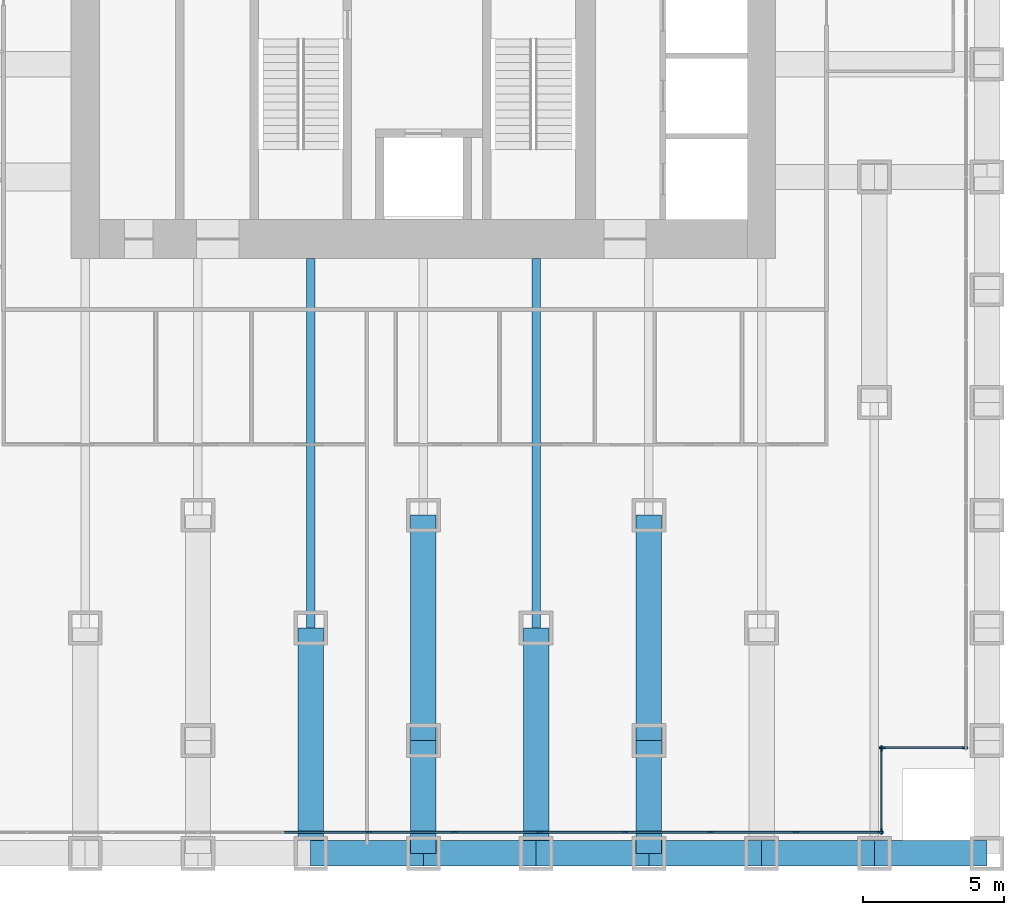
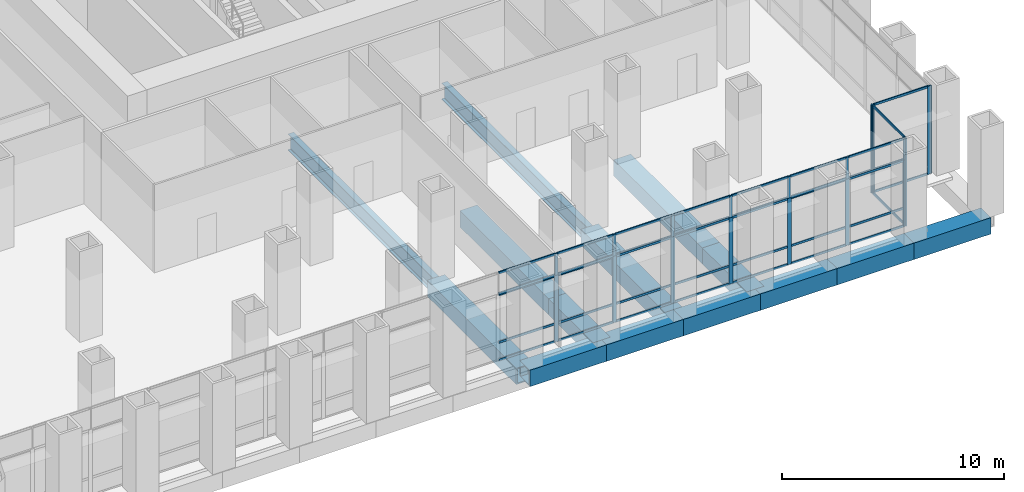
# One storey, part 5 of 18: 57 members, 14 beams, 4 elements without a shape of their own.
"""IFC4 building model written with IfcOpenShell, lengths in metres."""

from ifc_helpers import new_model, si_unit, direction, frame, origin, origin_2d, place, context, subcontext, project, spatial, rectangle, hollow_rectangle, i_section, extrude, material, material_profile, profile_set, type_object, element, aggregate, save


model = new_model("IFC4")

# Units and contexts
model_context = context("Model", 3, precision=1e-05, world=origin(), true_north=direction((0.0, 1.0)))
body_context = subcontext(model_context, "Body", "Model", "MODEL_VIEW")
ifc_project = project(units=[si_unit("LENGTHUNIT", "METRE"), si_unit("AREAUNIT", "SQUARE_METRE"), si_unit("VOLUMEUNIT", "CUBIC_METRE"), si_unit("PLANEANGLEUNIT", "RADIAN"), si_unit("MASSUNIT", "GRAM", prefix="KILO")], contexts=[model_context])

# Site, building, storey
site_placement = place(None, origin())
site = spatial("IfcSite", under=ifc_project, at=site_placement, CompositionType="ELEMENT")
building_placement = place(site_placement, origin())
building = spatial("IfcBuilding", under=site, at=building_placement, Name="Rimbunsela Tower", CompositionType="ELEMENT")
storey_placement = place(building_placement, frame((0.0, 0.0, 6.0)))
storey = spatial("IfcBuildingStorey", under=building, at=storey_placement, Name="L01", CompositionType="ELEMENT", Elevation=6.0)

# Beams
ifc_material_1 = material(Name="Steel BJ 55 (fy 410 MPa)", Category="steel")
ifc_material_profile_1 = material_profile(ifc_material_1, hollow_rectangle(XDim=0.89990234375, YDim=0.89990234375, WallThickness=0.06005859375, at=origin_2d()), Name="BOX 900x900x60")
ifc_profile_set_1 = profile_set([ifc_material_profile_1], Name="Steel BJ 55 (fy 410 MPa)")
beam_type_1 = type_object("IfcBeamType", Name="Beam BOX 900x900x60", PredefinedType="BEAM", material=ifc_profile_set_1)
beam_1_placement = place(storey_placement, frame((26.0, -4.0, -0.60009765625), z_axis=(0.0, 1.0, 0.0), x_axis=(-1.0, 0.0, 0.0)))
element("IfcBeam", 1, at=beam_1_placement, inside=storey, type_object=beam_type_1, Name="Beam B1 L01", PredefinedType="BEAM", context=body_context, shape_type="SweptSolid", body=[
    extrude(hollow_rectangle(XDim=0.89990234375, YDim=0.89990234375, WallThickness=0.06005859375, at=origin_2d()), origin(), (0.0, 0.0, 1.0), 8.0),
])
for number, where, z_axis, x_axis, name in (
    (2, (26.0, -4.0, -0.60009765625), (1.0, 0.0, 0.0), (0.0, 1.0, 0.0), "Beam B1 L01"),
    (3, (30.0, -4.0, -0.60009765625), (0.0, 1.0, 0.0), (-1.0, 0.0, 0.0), "Beam B1 L01"),
    (4, (30.0, -4.0, -0.60009765625), (1.0, 0.0, 0.0), (0.0, 1.0, 0.0), "Beam B1 L01"),
):
    element("IfcBeam", number, at=place(storey_placement, frame(where, z_axis=z_axis, x_axis=x_axis)), inside=storey, type_object=beam_type_1, Name=name, PredefinedType="BEAM", context=body_context, shape_type="SweptSolid", body=[
        extrude(hollow_rectangle(XDim=0.89990234375, YDim=0.89990234375, WallThickness=0.06005859375, at=origin_2d()), origin(), (0.0, 0.0, 1.0), 4.0),
    ])
for number, where, z_axis, x_axis, name in (
    (5, (30.0, 0.0, -0.60009765625), (0.0, 1.0, 0.0), (-1.0, 0.0, 0.0), "Beam B1 L01"),
    (6, (34.0, -4.0, -0.60009765625), (0.0, 1.0, 0.0), (-1.0, 0.0, 0.0), "Beam B1 L01"),
):
    element("IfcBeam", number, at=place(storey_placement, frame(where, z_axis=z_axis, x_axis=x_axis)), inside=storey, type_object=beam_type_1, Name=name, PredefinedType="BEAM", context=body_context, shape_type="SweptSolid", body=[
        extrude(hollow_rectangle(XDim=0.89990234375, YDim=0.89990234375, WallThickness=0.06005859375, at=origin_2d()), origin(), (0.0, 0.0, 1.0), 8.0),
    ])
for number, where, z_axis, x_axis, name in (
    (7, (34.0, -4.0, -0.60009765625), (1.0, 0.0, 0.0), (0.0, 1.0, 0.0), "Beam B1 L01"),
    (8, (38.0, -4.0, -0.60009765625), (0.0, 1.0, 0.0), (-1.0, 0.0, 0.0), "Beam B1 L01"),
    (9, (38.0, -4.0, -0.60009765625), (1.0, 0.0, 0.0), (0.0, 1.0, 0.0), "Beam B1 L01"),
):
    element("IfcBeam", number, at=place(storey_placement, frame(where, z_axis=z_axis, x_axis=x_axis)), inside=storey, type_object=beam_type_1, Name=name, PredefinedType="BEAM", context=body_context, shape_type="SweptSolid", body=[
        extrude(hollow_rectangle(XDim=0.89990234375, YDim=0.89990234375, WallThickness=0.06005859375, at=origin_2d()), origin(), (0.0, 0.0, 1.0), 4.0),
    ])
beam_2_placement = place(storey_placement, frame((38.0, 0.0, -0.60009765625), z_axis=(0.0, 1.0, 0.0), x_axis=(-1.0, 0.0, 0.0)))
element("IfcBeam", 10, at=beam_2_placement, inside=storey, type_object=beam_type_1, Name="Beam B1 L01", PredefinedType="BEAM", context=body_context, shape_type="SweptSolid", body=[
    extrude(hollow_rectangle(XDim=0.89990234375, YDim=0.89990234375, WallThickness=0.06005859375, at=origin_2d()), origin(), (0.0, 0.0, 1.0), 8.0),
])
for number, where, z_axis, x_axis, name in (
    (11, (42.0, -4.0, -0.60009765625), (1.0, 0.0, 0.0), (0.0, 1.0, 0.0), "Beam B1 L01"),
    (12, (46.0, -4.0, -0.60009765625), (1.0, 0.0, 0.0), (0.0, 1.0, 0.0), "Beam B1 L01"),
):
    element("IfcBeam", number, at=place(storey_placement, frame(where, z_axis=z_axis, x_axis=x_axis)), inside=storey, type_object=beam_type_1, Name=name, PredefinedType="BEAM", context=body_context, shape_type="SweptSolid", body=[
        extrude(hollow_rectangle(XDim=0.89990234375, YDim=0.89990234375, WallThickness=0.06005859375, at=origin_2d()), origin(), (0.0, 0.0, 1.0), 4.0),
    ])
ifc_material_2 = material(Name="Steel BJ 55 (fy 410 MPa)", Category="steel")
ifc_material_profile_2 = material_profile(ifc_material_2, i_section(OverallWidth=0.300048828125, OverallDepth=0.89990234375, WebThickness=0.01611328125, FlangeThickness=0.028076171875, FilletRadius=0.028076171875, at=origin_2d()), Name="H 900x300x16x28")
ifc_profile_set_2 = profile_set([ifc_material_profile_2], Name="Steel BJ 55 (fy 410 MPa)")
beam_type_2 = type_object("IfcBeamType", Name="Beam H 900x300x16x28", PredefinedType="BEAM", material=ifc_profile_set_2)
for number, where, z_axis, x_axis, name in (
    (13, (26.0, 4.0, -0.60009765625), (0.0, 1.0, 0.0), (-1.0, 0.0, 0.0), "Beam B2 L01"),
    (14, (34.0, 4.0, -0.60009765625), (0.0, 1.0, 0.0), (-1.0, 0.0, 0.0), "Beam B2 L01"),
):
    element("IfcBeam", number, at=place(storey_placement, frame(where, z_axis=z_axis, x_axis=x_axis)), inside=storey, type_object=beam_type_2, Name=name, PredefinedType="BEAM", context=body_context, shape_type="SweptSolid", body=[
        extrude(i_section(OverallWidth=0.300048828125, OverallDepth=0.89990234375, WebThickness=0.01611328125, FlangeThickness=0.028076171875, FilletRadius=0.028076171875, at=origin_2d()), origin(), (0.0, 0.0, 1.0), 13.10009765625),
    ])

# Curtain wall, members
ifc_material_3 = material(Name="Aluminium curtain wall", Category="aluminium")
curtain_wall_type_1 = type_object("IfcCurtainWallType", Name="Spandrel wall", PredefinedType="USERDEFINED", material=ifc_material_3)
curtain_wall_1_placement = place(storey_placement, origin())
curtain_wall_1 = element("IfcCurtainWall", 15, at=curtain_wall_1_placement, inside=storey, type_object=curtain_wall_type_1, Name="Spandrel wall L01", ObjectType="SPANDREL WALL", PredefinedType="USERDEFINED")
ifc_material_4 = material(Name="Aluminium mullion", Category="aluminium")
ifc_material_profile_3 = material_profile(ifc_material_4, rectangle(XDim=0.06005859375, YDim=0.159912109375, at=origin_2d()), Name="Mullion 60x160")
ifc_profile_set_3 = profile_set([ifc_material_profile_3], Name="Aluminium mullion")
member_type_1 = type_object("IfcMemberType", Name="Curtain wall mullion 60x160", PredefinedType="MULLION", material=ifc_profile_set_3)
member_1_placement = place(storey_placement, frame((28.0625, -3.25, 3.64990234375), z_axis=(0.0, 0.0, 1.0), x_axis=(0.0, 1.0, 0.0)))
member_1 = element("IfcMember", 16, at=member_1_placement, type_object=member_type_1, Name="CW7 mullion 11", PredefinedType="MULLION", context=body_context, shape_type="SweptSolid", body=[
    extrude(rectangle(XDim=0.06005859375, YDim=0.159912109375, at=origin_2d()), origin(), (0.0, 0.0, 1.0), 1.2001953125),
])
member_2_placement = place(storey_placement, frame((31.09375, -3.25, 3.64990234375), z_axis=(0.0, 0.0, 1.0), x_axis=(0.0, 1.0, 0.0)))
member_2 = element("IfcMember", 17, at=member_2_placement, type_object=member_type_1, Name="CW7 mullion 12", PredefinedType="MULLION", context=body_context, shape_type="SweptSolid", body=[
    extrude(rectangle(XDim=0.06005859375, YDim=0.159912109375, at=origin_2d()), origin(), (0.0, 0.0, 1.0), 1.2001953125),
])
member_3_placement = place(storey_placement, frame((34.125, -3.25, 3.64990234375), z_axis=(0.0, 0.0, 1.0), x_axis=(0.0, 1.0, 0.0)))
member_3 = element("IfcMember", 18, at=member_3_placement, type_object=member_type_1, Name="CW7 mullion 13", PredefinedType="MULLION", context=body_context, shape_type="SweptSolid", body=[
    extrude(rectangle(XDim=0.06005859375, YDim=0.159912109375, at=origin_2d()), origin(), (0.0, 0.0, 1.0), 1.2001953125),
])
member_4_placement = place(storey_placement, frame((37.15625, -3.25, 3.64990234375), z_axis=(0.0, 0.0, 1.0), x_axis=(0.0, 1.0, 0.0)))
member_4 = element("IfcMember", 19, at=member_4_placement, type_object=member_type_1, Name="CW7 mullion 14", PredefinedType="MULLION", context=body_context, shape_type="SweptSolid", body=[
    extrude(rectangle(XDim=0.06005859375, YDim=0.159912109375, at=origin_2d()), origin(), (0.0, 0.0, 1.0), 1.2001953125),
])
member_5_placement = place(storey_placement, frame((40.1875, -3.25, 3.64990234375), z_axis=(0.0, 0.0, 1.0), x_axis=(0.0, 1.0, 0.0)))
member_5 = element("IfcMember", 20, at=member_5_placement, type_object=member_type_1, Name="CW7 mullion 15", PredefinedType="MULLION", context=body_context, shape_type="SweptSolid", body=[
    extrude(rectangle(XDim=0.06005859375, YDim=0.159912109375, at=origin_2d()), origin(), (0.0, 0.0, 1.0), 1.2001953125),
])
member_6_placement = place(storey_placement, frame((43.21875, -3.25, 3.64990234375), z_axis=(0.0, 0.0, 1.0), x_axis=(0.0, 1.0, 0.0)))
member_6 = element("IfcMember", 21, at=member_6_placement, type_object=member_type_1, Name="CW7 mullion 16", PredefinedType="MULLION", context=body_context, shape_type="SweptSolid", body=[
    extrude(rectangle(XDim=0.06005859375, YDim=0.159912109375, at=origin_2d()), origin(), (0.0, 0.0, 1.0), 1.2001953125),
])
member_7_placement = place(storey_placement, frame((46.219970703125, -3.25, 3.64990234375), z_axis=(0.0, 0.0, 1.0), x_axis=(0.0, 1.0, 0.0)))
member_7 = element("IfcMember", 22, at=member_7_placement, type_object=member_type_1, Name="CW7 mullion 17", PredefinedType="MULLION", context=body_context, shape_type="SweptSolid", body=[
    extrude(rectangle(XDim=0.06005859375, YDim=0.159912109375, at=origin_2d()), origin(), (0.0, 0.0, 1.0), 1.2001953125),
])

ifc_material_5 = material(Name="Aluminium curtain wall", Category="aluminium")
curtain_wall_type_2 = type_object("IfcCurtainWallType", Name="Corner glazing", PredefinedType="USERDEFINED", material=ifc_material_5)
curtain_wall_2_placement = place(storey_placement, origin())
curtain_wall_2 = element("IfcCurtainWall", 23, at=curtain_wall_2_placement, inside=storey, type_object=curtain_wall_type_2, Name="Corner glazing L01", ObjectType="CORNER GLAZING", PredefinedType="USERDEFINED")
ifc_material_6 = material(Name="Aluminium mullion", Category="aluminium")
ifc_material_profile_4 = material_profile(ifc_material_6, rectangle(XDim=0.06005859375, YDim=0.199951171875, at=origin_2d()), Name="Mullion 60x200")
ifc_profile_set_4 = profile_set([ifc_material_profile_4], Name="Aluminium mullion")
member_type_2 = type_object("IfcMemberType", Name="Curtain wall mullion 60x200", PredefinedType="MULLION", material=ifc_profile_set_4)
member_8_placement = place(storey_placement, frame((46.25, -3.219970703125, 0.0), z_axis=(0.0, 0.0, 1.0), x_axis=(-1.0, 0.0, 0.0)))
member_8 = element("IfcMember", 24, at=member_8_placement, type_object=member_type_2, Name="CW5 mullion 1", PredefinedType="MULLION", context=body_context, shape_type="SweptSolid", body=[
    extrude(rectangle(XDim=0.06005859375, YDim=0.199951171875, at=origin_2d()), origin(), (0.0, 0.0, 1.0), 4.85009765625),
])
member_9_placement = place(storey_placement, frame((46.25, -0.280029296875, 0.0), z_axis=(0.0, 0.0, 1.0), x_axis=(-1.0, 0.0, 0.0)))
member_9 = element("IfcMember", 25, at=member_9_placement, type_object=member_type_2, Name="CW5 mullion 2", PredefinedType="MULLION", context=body_context, shape_type="SweptSolid", body=[
    extrude(rectangle(XDim=0.06005859375, YDim=0.199951171875, at=origin_2d()), origin(), (0.0, 0.0, 1.0), 4.85009765625),
])

curtain_wall_3_placement = place(storey_placement, origin())
curtain_wall_3 = element("IfcCurtainWall", 26, at=curtain_wall_3_placement, inside=storey, type_object=curtain_wall_type_2, Name="Corner glazing L01", ObjectType="CORNER GLAZING", PredefinedType="USERDEFINED")
member_10_placement = place(storey_placement, frame((46.280029296875, -0.25, 0.0), z_axis=(0.0, 0.0, 1.0), x_axis=(0.0, 1.0, 0.0)))
member_10 = element("IfcMember", 27, at=member_10_placement, type_object=member_type_2, Name="CW5 mullion 1", PredefinedType="MULLION", context=body_context, shape_type="SweptSolid", body=[
    extrude(rectangle(XDim=0.06005859375, YDim=0.199951171875, at=origin_2d()), origin(), (0.0, 0.0, 1.0), 4.85009765625),
])
member_11_placement = place(storey_placement, frame((49.219970703125, -0.25, 0.0), z_axis=(0.0, 0.0, 1.0), x_axis=(0.0, 1.0, 0.0)))
member_11 = element("IfcMember", 28, at=member_11_placement, type_object=member_type_2, Name="CW5 mullion 2", PredefinedType="MULLION", context=body_context, shape_type="SweptSolid", body=[
    extrude(rectangle(XDim=0.06005859375, YDim=0.199951171875, at=origin_2d()), origin(), (0.0, 0.0, 1.0), 4.85009765625),
])

ifc_material_7 = material(Name="Aluminium curtain wall", Category="aluminium")
curtain_wall_type_3 = type_object("IfcCurtainWallType", Name="Podium glazing", PredefinedType="USERDEFINED", material=ifc_material_7)
curtain_wall_4_placement = place(storey_placement, origin())
curtain_wall_4 = element("IfcCurtainWall", 29, at=curtain_wall_4_placement, inside=storey, type_object=curtain_wall_type_3, Name="Podium glazing L01", ObjectType="PODIUM GLAZING", PredefinedType="USERDEFINED")
member_12_placement = place(storey_placement, frame((28.0625, -3.25, 0.0), z_axis=(0.0, 0.0, 1.0), x_axis=(0.0, 1.0, 0.0)))
member_12 = element("IfcMember", 30, at=member_12_placement, type_object=member_type_2, Name="CW1 mullion 11", PredefinedType="MULLION", context=body_context, shape_type="SweptSolid", body=[
    extrude(rectangle(XDim=0.06005859375, YDim=0.199951171875, at=origin_2d()), origin(), (0.0, 0.0, 1.0), 3.64990234375),
])
member_13_placement = place(storey_placement, frame((31.09375, -3.25, 0.0), z_axis=(0.0, 0.0, 1.0), x_axis=(0.0, 1.0, 0.0)))
member_13 = element("IfcMember", 31, at=member_13_placement, type_object=member_type_2, Name="CW1 mullion 12", PredefinedType="MULLION", context=body_context, shape_type="SweptSolid", body=[
    extrude(rectangle(XDim=0.06005859375, YDim=0.199951171875, at=origin_2d()), origin(), (0.0, 0.0, 1.0), 3.64990234375),
])
member_14_placement = place(storey_placement, frame((34.125, -3.25, 0.0), z_axis=(0.0, 0.0, 1.0), x_axis=(0.0, 1.0, 0.0)))
member_14 = element("IfcMember", 32, at=member_14_placement, type_object=member_type_2, Name="CW1 mullion 13", PredefinedType="MULLION", context=body_context, shape_type="SweptSolid", body=[
    extrude(rectangle(XDim=0.06005859375, YDim=0.199951171875, at=origin_2d()), origin(), (0.0, 0.0, 1.0), 3.64990234375),
])
member_15_placement = place(storey_placement, frame((37.15625, -3.25, 0.0), z_axis=(0.0, 0.0, 1.0), x_axis=(0.0, 1.0, 0.0)))
member_15 = element("IfcMember", 33, at=member_15_placement, type_object=member_type_2, Name="CW1 mullion 14", PredefinedType="MULLION", context=body_context, shape_type="SweptSolid", body=[
    extrude(rectangle(XDim=0.06005859375, YDim=0.199951171875, at=origin_2d()), origin(), (0.0, 0.0, 1.0), 3.64990234375),
])
member_16_placement = place(storey_placement, frame((40.1875, -3.25, 0.0), z_axis=(0.0, 0.0, 1.0), x_axis=(0.0, 1.0, 0.0)))
member_16 = element("IfcMember", 34, at=member_16_placement, type_object=member_type_2, Name="CW1 mullion 15", PredefinedType="MULLION", context=body_context, shape_type="SweptSolid", body=[
    extrude(rectangle(XDim=0.06005859375, YDim=0.199951171875, at=origin_2d()), origin(), (0.0, 0.0, 1.0), 3.64990234375),
])
member_17_placement = place(storey_placement, frame((43.21875, -3.25, 0.0), z_axis=(0.0, 0.0, 1.0), x_axis=(0.0, 1.0, 0.0)))
member_17 = element("IfcMember", 35, at=member_17_placement, type_object=member_type_2, Name="CW1 mullion 16", PredefinedType="MULLION", context=body_context, shape_type="SweptSolid", body=[
    extrude(rectangle(XDim=0.06005859375, YDim=0.199951171875, at=origin_2d()), origin(), (0.0, 0.0, 1.0), 3.64990234375),
])
member_18_placement = place(storey_placement, frame((46.219970703125, -3.25, 0.0), z_axis=(0.0, 0.0, 1.0), x_axis=(0.0, 1.0, 0.0)))
member_18 = element("IfcMember", 36, at=member_18_placement, type_object=member_type_2, Name="CW1 mullion 17", PredefinedType="MULLION", context=body_context, shape_type="SweptSolid", body=[
    extrude(rectangle(XDim=0.06005859375, YDim=0.199951171875, at=origin_2d()), origin(), (0.0, 0.0, 1.0), 3.64990234375),
])

# Member
ifc_material_8 = material(Name="Aluminium transom", Category="aluminium")
ifc_material_profile_5 = material_profile(ifc_material_8, rectangle(XDim=0.06005859375, YDim=0.1201171875, at=origin_2d()), Name="Transom 60x120")
ifc_profile_set_5 = profile_set([ifc_material_profile_5], Name="Aluminium transom")
member_type_3 = type_object("IfcMemberType", Name="Curtain wall transom 60x120", PredefinedType="USERDEFINED", material=ifc_profile_set_5)
member_19_placement = place(storey_placement, frame((46.25, -3.18994140625, 0.030029296875), z_axis=(0.0, 1.0, 0.0), x_axis=(-1.0, 0.0, 0.0)))
member_19 = element("IfcMember", 37, at=member_19_placement, type_object=member_type_3, Name="CW5 transom 1.1", ObjectType="TRANSOM", PredefinedType="USERDEFINED", context=body_context, shape_type="SweptSolid", body=[
    extrude(rectangle(XDim=0.06005859375, YDim=0.1201171875, at=origin_2d()), origin(), (0.0, 0.0, 1.0), 2.8798828125),
])

member_20_placement = place(storey_placement, frame((46.25, -3.18994140625, 4.820068359375), z_axis=(0.0, 1.0, 0.0), x_axis=(-1.0, 0.0, 0.0)))
member_20 = element("IfcMember", 38, at=member_20_placement, type_object=member_type_3, Name="CW5 transom 1.2", ObjectType="TRANSOM", PredefinedType="USERDEFINED", context=body_context, shape_type="SweptSolid", body=[
    extrude(rectangle(XDim=0.06005859375, YDim=0.1201171875, at=origin_2d()), origin(), (0.0, 0.0, 1.0), 2.8798828125),
])

aggregate(curtain_wall_2, [member_8, member_9, member_19, member_20])

member_21_placement = place(storey_placement, frame((46.31005859375, -0.25, 0.030029296875), z_axis=(1.0, 0.0, 0.0), x_axis=(0.0, 1.0, 0.0)))
member_21 = element("IfcMember", 39, at=member_21_placement, type_object=member_type_3, Name="CW5 transom 1.1", ObjectType="TRANSOM", PredefinedType="USERDEFINED", context=body_context, shape_type="SweptSolid", body=[
    extrude(rectangle(XDim=0.06005859375, YDim=0.1201171875, at=origin_2d()), origin(), (0.0, 0.0, 1.0), 2.8798828125),
])

member_22_placement = place(storey_placement, frame((46.31005859375, -0.25, 4.820068359375), z_axis=(1.0, 0.0, 0.0), x_axis=(0.0, 1.0, 0.0)))
member_22 = element("IfcMember", 40, at=member_22_placement, type_object=member_type_3, Name="CW5 transom 1.2", ObjectType="TRANSOM", PredefinedType="USERDEFINED", context=body_context, shape_type="SweptSolid", body=[
    extrude(rectangle(XDim=0.06005859375, YDim=0.1201171875, at=origin_2d()), origin(), (0.0, 0.0, 1.0), 2.8798828125),
])

aggregate(curtain_wall_3, [member_10, member_11, member_21, member_22])

member_23_placement = place(storey_placement, frame((25.061279296875, -3.25, 0.030029296875), z_axis=(1.0, 0.0, 0.0), x_axis=(0.0, 1.0, 0.0)))
member_23 = element("IfcMember", 41, at=member_23_placement, type_object=member_type_3, Name="CW1 transom 10.1", ObjectType="TRANSOM", PredefinedType="USERDEFINED", context=body_context, shape_type="SweptSolid", body=[
    extrude(rectangle(XDim=0.06005859375, YDim=0.1201171875, at=origin_2d()), origin(), (0.0, 0.0, 1.0), 2.97119140625),
])

member_24_placement = place(storey_placement, frame((25.061279296875, -3.25, 1.0), z_axis=(1.0, 0.0, 0.0), x_axis=(0.0, 1.0, 0.0)))
member_24 = element("IfcMember", 42, at=member_24_placement, type_object=member_type_3, Name="CW1 transom 10.2", ObjectType="TRANSOM", PredefinedType="USERDEFINED", context=body_context, shape_type="SweptSolid", body=[
    extrude(rectangle(XDim=0.06005859375, YDim=0.1201171875, at=origin_2d()), origin(), (0.0, 0.0, 1.0), 2.97119140625),
])

member_25_placement = place(storey_placement, frame((25.061279296875, -3.25, 3.6201171875), z_axis=(1.0, 0.0, 0.0), x_axis=(0.0, 1.0, 0.0)))
member_25 = element("IfcMember", 43, at=member_25_placement, type_object=member_type_3, Name="CW1 transom 10.3", ObjectType="TRANSOM", PredefinedType="USERDEFINED", context=body_context, shape_type="SweptSolid", body=[
    extrude(rectangle(XDim=0.06005859375, YDim=0.1201171875, at=origin_2d()), origin(), (0.0, 0.0, 1.0), 2.97119140625),
])

member_26_placement = place(storey_placement, frame((28.092529296875, -3.25, 0.030029296875), z_axis=(1.0, 0.0, 0.0), x_axis=(0.0, 1.0, 0.0)))
member_26 = element("IfcMember", 44, at=member_26_placement, type_object=member_type_3, Name="CW1 transom 11.1", ObjectType="TRANSOM", PredefinedType="USERDEFINED", context=body_context, shape_type="SweptSolid", body=[
    extrude(rectangle(XDim=0.06005859375, YDim=0.1201171875, at=origin_2d()), origin(), (0.0, 0.0, 1.0), 2.97119140625),
])

member_27_placement = place(storey_placement, frame((28.092529296875, -3.25, 1.0), z_axis=(1.0, 0.0, 0.0), x_axis=(0.0, 1.0, 0.0)))
member_27 = element("IfcMember", 45, at=member_27_placement, type_object=member_type_3, Name="CW1 transom 11.2", ObjectType="TRANSOM", PredefinedType="USERDEFINED", context=body_context, shape_type="SweptSolid", body=[
    extrude(rectangle(XDim=0.06005859375, YDim=0.1201171875, at=origin_2d()), origin(), (0.0, 0.0, 1.0), 2.97119140625),
])

member_28_placement = place(storey_placement, frame((28.092529296875, -3.25, 3.6201171875), z_axis=(1.0, 0.0, 0.0), x_axis=(0.0, 1.0, 0.0)))
member_28 = element("IfcMember", 46, at=member_28_placement, type_object=member_type_3, Name="CW1 transom 11.3", ObjectType="TRANSOM", PredefinedType="USERDEFINED", context=body_context, shape_type="SweptSolid", body=[
    extrude(rectangle(XDim=0.06005859375, YDim=0.1201171875, at=origin_2d()), origin(), (0.0, 0.0, 1.0), 2.97119140625),
])

member_29_placement = place(storey_placement, frame((31.123779296875, -3.25, 0.030029296875), z_axis=(1.0, 0.0, 0.0), x_axis=(0.0, 1.0, 0.0)))
member_29 = element("IfcMember", 47, at=member_29_placement, type_object=member_type_3, Name="CW1 transom 12.1", ObjectType="TRANSOM", PredefinedType="USERDEFINED", context=body_context, shape_type="SweptSolid", body=[
    extrude(rectangle(XDim=0.06005859375, YDim=0.1201171875, at=origin_2d()), origin(), (0.0, 0.0, 1.0), 2.97119140625),
])

member_30_placement = place(storey_placement, frame((31.123779296875, -3.25, 1.0), z_axis=(1.0, 0.0, 0.0), x_axis=(0.0, 1.0, 0.0)))
member_30 = element("IfcMember", 48, at=member_30_placement, type_object=member_type_3, Name="CW1 transom 12.2", ObjectType="TRANSOM", PredefinedType="USERDEFINED", context=body_context, shape_type="SweptSolid", body=[
    extrude(rectangle(XDim=0.06005859375, YDim=0.1201171875, at=origin_2d()), origin(), (0.0, 0.0, 1.0), 2.97119140625),
])

member_31_placement = place(storey_placement, frame((31.123779296875, -3.25, 3.6201171875), z_axis=(1.0, 0.0, 0.0), x_axis=(0.0, 1.0, 0.0)))
member_31 = element("IfcMember", 49, at=member_31_placement, type_object=member_type_3, Name="CW1 transom 12.3", ObjectType="TRANSOM", PredefinedType="USERDEFINED", context=body_context, shape_type="SweptSolid", body=[
    extrude(rectangle(XDim=0.06005859375, YDim=0.1201171875, at=origin_2d()), origin(), (0.0, 0.0, 1.0), 2.97119140625),
])

member_32_placement = place(storey_placement, frame((34.155029296875, -3.25, 0.030029296875), z_axis=(1.0, 0.0, 0.0), x_axis=(0.0, 1.0, 0.0)))
member_32 = element("IfcMember", 50, at=member_32_placement, type_object=member_type_3, Name="CW1 transom 13.1", ObjectType="TRANSOM", PredefinedType="USERDEFINED", context=body_context, shape_type="SweptSolid", body=[
    extrude(rectangle(XDim=0.06005859375, YDim=0.1201171875, at=origin_2d()), origin(), (0.0, 0.0, 1.0), 2.97119140625),
])

member_33_placement = place(storey_placement, frame((34.155029296875, -3.25, 1.0), z_axis=(1.0, 0.0, 0.0), x_axis=(0.0, 1.0, 0.0)))
member_33 = element("IfcMember", 51, at=member_33_placement, type_object=member_type_3, Name="CW1 transom 13.2", ObjectType="TRANSOM", PredefinedType="USERDEFINED", context=body_context, shape_type="SweptSolid", body=[
    extrude(rectangle(XDim=0.06005859375, YDim=0.1201171875, at=origin_2d()), origin(), (0.0, 0.0, 1.0), 2.97119140625),
])

member_34_placement = place(storey_placement, frame((34.155029296875, -3.25, 3.6201171875), z_axis=(1.0, 0.0, 0.0), x_axis=(0.0, 1.0, 0.0)))
member_34 = element("IfcMember", 52, at=member_34_placement, type_object=member_type_3, Name="CW1 transom 13.3", ObjectType="TRANSOM", PredefinedType="USERDEFINED", context=body_context, shape_type="SweptSolid", body=[
    extrude(rectangle(XDim=0.06005859375, YDim=0.1201171875, at=origin_2d()), origin(), (0.0, 0.0, 1.0), 2.97119140625),
])

member_35_placement = place(storey_placement, frame((37.186279296875, -3.25, 0.030029296875), z_axis=(1.0, 0.0, 0.0), x_axis=(0.0, 1.0, 0.0)))
member_35 = element("IfcMember", 53, at=member_35_placement, type_object=member_type_3, Name="CW1 transom 14.1", ObjectType="TRANSOM", PredefinedType="USERDEFINED", context=body_context, shape_type="SweptSolid", body=[
    extrude(rectangle(XDim=0.06005859375, YDim=0.1201171875, at=origin_2d()), origin(), (0.0, 0.0, 1.0), 2.97119140625),
])

member_36_placement = place(storey_placement, frame((37.186279296875, -3.25, 1.0), z_axis=(1.0, 0.0, 0.0), x_axis=(0.0, 1.0, 0.0)))
member_36 = element("IfcMember", 54, at=member_36_placement, type_object=member_type_3, Name="CW1 transom 14.2", ObjectType="TRANSOM", PredefinedType="USERDEFINED", context=body_context, shape_type="SweptSolid", body=[
    extrude(rectangle(XDim=0.06005859375, YDim=0.1201171875, at=origin_2d()), origin(), (0.0, 0.0, 1.0), 2.97119140625),
])

member_37_placement = place(storey_placement, frame((37.186279296875, -3.25, 3.6201171875), z_axis=(1.0, 0.0, 0.0), x_axis=(0.0, 1.0, 0.0)))
member_37 = element("IfcMember", 55, at=member_37_placement, type_object=member_type_3, Name="CW1 transom 14.3", ObjectType="TRANSOM", PredefinedType="USERDEFINED", context=body_context, shape_type="SweptSolid", body=[
    extrude(rectangle(XDim=0.06005859375, YDim=0.1201171875, at=origin_2d()), origin(), (0.0, 0.0, 1.0), 2.97119140625),
])

member_38_placement = place(storey_placement, frame((40.217529296875, -3.25, 0.030029296875), z_axis=(1.0, 0.0, 0.0), x_axis=(0.0, 1.0, 0.0)))
member_38 = element("IfcMember", 56, at=member_38_placement, type_object=member_type_3, Name="CW1 transom 15.1", ObjectType="TRANSOM", PredefinedType="USERDEFINED", context=body_context, shape_type="SweptSolid", body=[
    extrude(rectangle(XDim=0.06005859375, YDim=0.1201171875, at=origin_2d()), origin(), (0.0, 0.0, 1.0), 2.97119140625),
])

member_39_placement = place(storey_placement, frame((40.217529296875, -3.25, 1.0), z_axis=(1.0, 0.0, 0.0), x_axis=(0.0, 1.0, 0.0)))
member_39 = element("IfcMember", 57, at=member_39_placement, type_object=member_type_3, Name="CW1 transom 15.2", ObjectType="TRANSOM", PredefinedType="USERDEFINED", context=body_context, shape_type="SweptSolid", body=[
    extrude(rectangle(XDim=0.06005859375, YDim=0.1201171875, at=origin_2d()), origin(), (0.0, 0.0, 1.0), 2.97119140625),
])

member_40_placement = place(storey_placement, frame((40.217529296875, -3.25, 3.6201171875), z_axis=(1.0, 0.0, 0.0), x_axis=(0.0, 1.0, 0.0)))
member_40 = element("IfcMember", 58, at=member_40_placement, type_object=member_type_3, Name="CW1 transom 15.3", ObjectType="TRANSOM", PredefinedType="USERDEFINED", context=body_context, shape_type="SweptSolid", body=[
    extrude(rectangle(XDim=0.06005859375, YDim=0.1201171875, at=origin_2d()), origin(), (0.0, 0.0, 1.0), 2.97119140625),
])

member_41_placement = place(storey_placement, frame((43.248779296875, -3.25, 0.030029296875), z_axis=(1.0, 0.0, 0.0), x_axis=(0.0, 1.0, 0.0)))
member_41 = element("IfcMember", 59, at=member_41_placement, type_object=member_type_3, Name="CW1 transom 16.1", ObjectType="TRANSOM", PredefinedType="USERDEFINED", context=body_context, shape_type="SweptSolid", body=[
    extrude(rectangle(XDim=0.06005859375, YDim=0.1201171875, at=origin_2d()), origin(), (0.0, 0.0, 1.0), 2.941162109375),
])

member_42_placement = place(storey_placement, frame((43.248779296875, -3.25, 1.0), z_axis=(1.0, 0.0, 0.0), x_axis=(0.0, 1.0, 0.0)))
member_42 = element("IfcMember", 60, at=member_42_placement, type_object=member_type_3, Name="CW1 transom 16.2", ObjectType="TRANSOM", PredefinedType="USERDEFINED", context=body_context, shape_type="SweptSolid", body=[
    extrude(rectangle(XDim=0.06005859375, YDim=0.1201171875, at=origin_2d()), origin(), (0.0, 0.0, 1.0), 2.941162109375),
])

member_43_placement = place(storey_placement, frame((43.248779296875, -3.25, 3.6201171875), z_axis=(1.0, 0.0, 0.0), x_axis=(0.0, 1.0, 0.0)))
member_43 = element("IfcMember", 61, at=member_43_placement, type_object=member_type_3, Name="CW1 transom 16.3", ObjectType="TRANSOM", PredefinedType="USERDEFINED", context=body_context, shape_type="SweptSolid", body=[
    extrude(rectangle(XDim=0.06005859375, YDim=0.1201171875, at=origin_2d()), origin(), (0.0, 0.0, 1.0), 2.941162109375),
])

aggregate(curtain_wall_4, [member_12, member_13, member_14, member_15, member_16, member_17, member_18, member_23, member_24, member_25, member_26, member_27, member_28, member_29, member_30, member_31, member_32, member_33, member_34, member_35, member_36, member_37, member_38, member_39, member_40, member_41, member_42, member_43])

member_44_placement = place(storey_placement, frame((25.061279296875, -3.25, 3.679931640625), z_axis=(1.0, 0.0, 0.0), x_axis=(0.0, 1.0, 0.0)))
member_44 = element("IfcMember", 62, at=member_44_placement, type_object=member_type_3, Name="CW7 transom 10.1", ObjectType="TRANSOM", PredefinedType="USERDEFINED", context=body_context, shape_type="SweptSolid", body=[
    extrude(rectangle(XDim=0.06005859375, YDim=0.1201171875, at=origin_2d()), origin(), (0.0, 0.0, 1.0), 2.97119140625),
])

member_45_placement = place(storey_placement, frame((25.061279296875, -3.25, 4.820068359375), z_axis=(1.0, 0.0, 0.0), x_axis=(0.0, 1.0, 0.0)))
member_45 = element("IfcMember", 63, at=member_45_placement, type_object=member_type_3, Name="CW7 transom 10.2", ObjectType="TRANSOM", PredefinedType="USERDEFINED", context=body_context, shape_type="SweptSolid", body=[
    extrude(rectangle(XDim=0.06005859375, YDim=0.1201171875, at=origin_2d()), origin(), (0.0, 0.0, 1.0), 2.97119140625),
])

member_46_placement = place(storey_placement, frame((28.092529296875, -3.25, 3.679931640625), z_axis=(1.0, 0.0, 0.0), x_axis=(0.0, 1.0, 0.0)))
member_46 = element("IfcMember", 64, at=member_46_placement, type_object=member_type_3, Name="CW7 transom 11.1", ObjectType="TRANSOM", PredefinedType="USERDEFINED", context=body_context, shape_type="SweptSolid", body=[
    extrude(rectangle(XDim=0.06005859375, YDim=0.1201171875, at=origin_2d()), origin(), (0.0, 0.0, 1.0), 2.97119140625),
])

member_47_placement = place(storey_placement, frame((28.092529296875, -3.25, 4.820068359375), z_axis=(1.0, 0.0, 0.0), x_axis=(0.0, 1.0, 0.0)))
member_47 = element("IfcMember", 65, at=member_47_placement, type_object=member_type_3, Name="CW7 transom 11.2", ObjectType="TRANSOM", PredefinedType="USERDEFINED", context=body_context, shape_type="SweptSolid", body=[
    extrude(rectangle(XDim=0.06005859375, YDim=0.1201171875, at=origin_2d()), origin(), (0.0, 0.0, 1.0), 2.97119140625),
])

member_48_placement = place(storey_placement, frame((31.123779296875, -3.25, 3.679931640625), z_axis=(1.0, 0.0, 0.0), x_axis=(0.0, 1.0, 0.0)))
member_48 = element("IfcMember", 66, at=member_48_placement, type_object=member_type_3, Name="CW7 transom 12.1", ObjectType="TRANSOM", PredefinedType="USERDEFINED", context=body_context, shape_type="SweptSolid", body=[
    extrude(rectangle(XDim=0.06005859375, YDim=0.1201171875, at=origin_2d()), origin(), (0.0, 0.0, 1.0), 2.97119140625),
])

member_49_placement = place(storey_placement, frame((31.123779296875, -3.25, 4.820068359375), z_axis=(1.0, 0.0, 0.0), x_axis=(0.0, 1.0, 0.0)))
member_49 = element("IfcMember", 67, at=member_49_placement, type_object=member_type_3, Name="CW7 transom 12.2", ObjectType="TRANSOM", PredefinedType="USERDEFINED", context=body_context, shape_type="SweptSolid", body=[
    extrude(rectangle(XDim=0.06005859375, YDim=0.1201171875, at=origin_2d()), origin(), (0.0, 0.0, 1.0), 2.97119140625),
])

member_50_placement = place(storey_placement, frame((34.155029296875, -3.25, 3.679931640625), z_axis=(1.0, 0.0, 0.0), x_axis=(0.0, 1.0, 0.0)))
member_50 = element("IfcMember", 68, at=member_50_placement, type_object=member_type_3, Name="CW7 transom 13.1", ObjectType="TRANSOM", PredefinedType="USERDEFINED", context=body_context, shape_type="SweptSolid", body=[
    extrude(rectangle(XDim=0.06005859375, YDim=0.1201171875, at=origin_2d()), origin(), (0.0, 0.0, 1.0), 2.97119140625),
])

member_51_placement = place(storey_placement, frame((34.155029296875, -3.25, 4.820068359375), z_axis=(1.0, 0.0, 0.0), x_axis=(0.0, 1.0, 0.0)))
member_51 = element("IfcMember", 69, at=member_51_placement, type_object=member_type_3, Name="CW7 transom 13.2", ObjectType="TRANSOM", PredefinedType="USERDEFINED", context=body_context, shape_type="SweptSolid", body=[
    extrude(rectangle(XDim=0.06005859375, YDim=0.1201171875, at=origin_2d()), origin(), (0.0, 0.0, 1.0), 2.97119140625),
])

member_52_placement = place(storey_placement, frame((37.186279296875, -3.25, 3.679931640625), z_axis=(1.0, 0.0, 0.0), x_axis=(0.0, 1.0, 0.0)))
member_52 = element("IfcMember", 70, at=member_52_placement, type_object=member_type_3, Name="CW7 transom 14.1", ObjectType="TRANSOM", PredefinedType="USERDEFINED", context=body_context, shape_type="SweptSolid", body=[
    extrude(rectangle(XDim=0.06005859375, YDim=0.1201171875, at=origin_2d()), origin(), (0.0, 0.0, 1.0), 2.97119140625),
])

member_53_placement = place(storey_placement, frame((37.186279296875, -3.25, 4.820068359375), z_axis=(1.0, 0.0, 0.0), x_axis=(0.0, 1.0, 0.0)))
member_53 = element("IfcMember", 71, at=member_53_placement, type_object=member_type_3, Name="CW7 transom 14.2", ObjectType="TRANSOM", PredefinedType="USERDEFINED", context=body_context, shape_type="SweptSolid", body=[
    extrude(rectangle(XDim=0.06005859375, YDim=0.1201171875, at=origin_2d()), origin(), (0.0, 0.0, 1.0), 2.97119140625),
])

member_54_placement = place(storey_placement, frame((40.217529296875, -3.25, 3.679931640625), z_axis=(1.0, 0.0, 0.0), x_axis=(0.0, 1.0, 0.0)))
member_54 = element("IfcMember", 72, at=member_54_placement, type_object=member_type_3, Name="CW7 transom 15.1", ObjectType="TRANSOM", PredefinedType="USERDEFINED", context=body_context, shape_type="SweptSolid", body=[
    extrude(rectangle(XDim=0.06005859375, YDim=0.1201171875, at=origin_2d()), origin(), (0.0, 0.0, 1.0), 2.97119140625),
])

member_55_placement = place(storey_placement, frame((40.217529296875, -3.25, 4.820068359375), z_axis=(1.0, 0.0, 0.0), x_axis=(0.0, 1.0, 0.0)))
member_55 = element("IfcMember", 73, at=member_55_placement, type_object=member_type_3, Name="CW7 transom 15.2", ObjectType="TRANSOM", PredefinedType="USERDEFINED", context=body_context, shape_type="SweptSolid", body=[
    extrude(rectangle(XDim=0.06005859375, YDim=0.1201171875, at=origin_2d()), origin(), (0.0, 0.0, 1.0), 2.97119140625),
])

member_56_placement = place(storey_placement, frame((43.248779296875, -3.25, 3.679931640625), z_axis=(1.0, 0.0, 0.0), x_axis=(0.0, 1.0, 0.0)))
member_56 = element("IfcMember", 74, at=member_56_placement, type_object=member_type_3, Name="CW7 transom 16.1", ObjectType="TRANSOM", PredefinedType="USERDEFINED", context=body_context, shape_type="SweptSolid", body=[
    extrude(rectangle(XDim=0.06005859375, YDim=0.1201171875, at=origin_2d()), origin(), (0.0, 0.0, 1.0), 2.941162109375),
])

member_57_placement = place(storey_placement, frame((43.248779296875, -3.25, 4.820068359375), z_axis=(1.0, 0.0, 0.0), x_axis=(0.0, 1.0, 0.0)))
member_57 = element("IfcMember", 75, at=member_57_placement, type_object=member_type_3, Name="CW7 transom 16.2", ObjectType="TRANSOM", PredefinedType="USERDEFINED", context=body_context, shape_type="SweptSolid", body=[
    extrude(rectangle(XDim=0.06005859375, YDim=0.1201171875, at=origin_2d()), origin(), (0.0, 0.0, 1.0), 2.941162109375),
])

aggregate(curtain_wall_1, [member_1, member_2, member_3, member_4, member_5, member_6, member_7, member_44, member_45, member_46, member_47, member_48, member_49, member_50, member_51, member_52, member_53, member_54, member_55, member_56, member_57])

save(model, "model.ifc")
